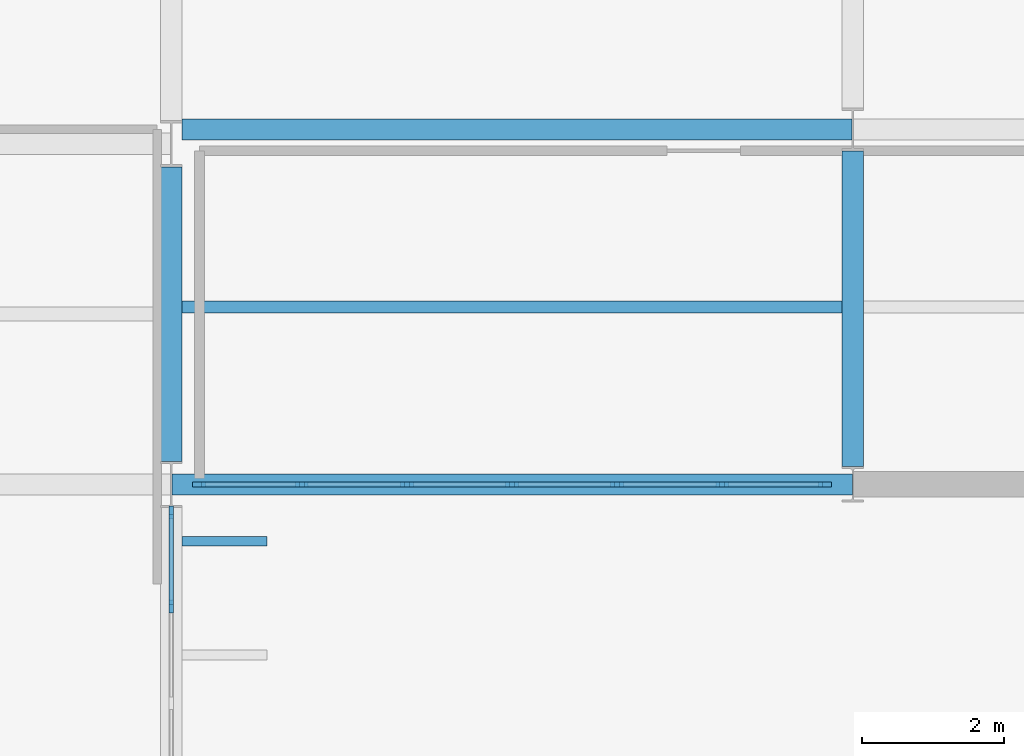
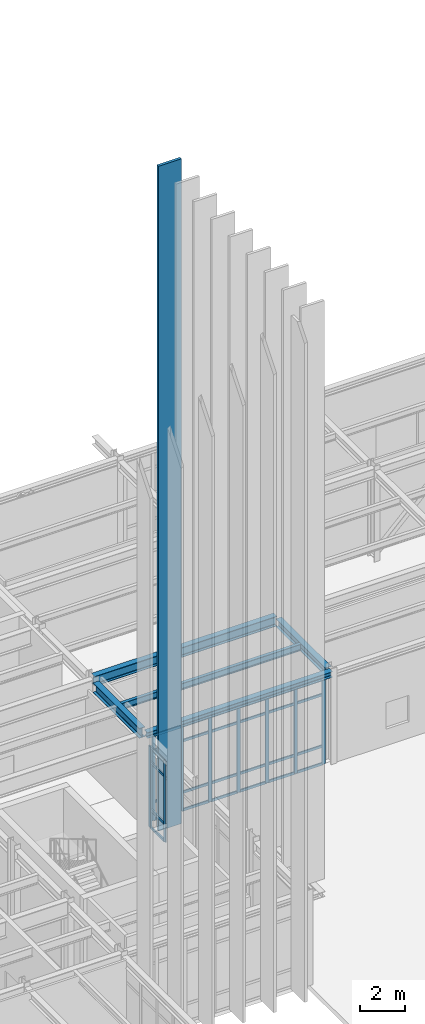
# One storey, part 54 of 109: 38 members, 5 beams, 2 elements without a shape of their own.
"""IFC4 building model written with IfcOpenShell, lengths in metres."""

from ifc_helpers import new_model, si_unit, direction, frame, origin, origin_2d, place, context, subcontext, project, spatial, rectangle, i_section, extrude, material, layer, layer_set, material_profile, profile_set, type_object, element, aggregate, save


model = new_model("IFC4")

# Units and contexts
model_context = context("Model", 3, precision=1e-05, world=origin(), true_north=direction((0.0, 1.0)))
body_context = subcontext(model_context, "Body", "Model", "MODEL_VIEW")
ifc_project = project(units=[si_unit("LENGTHUNIT", "METRE"), si_unit("AREAUNIT", "SQUARE_METRE"), si_unit("VOLUMEUNIT", "CUBIC_METRE"), si_unit("PLANEANGLEUNIT", "RADIAN"), si_unit("MASSUNIT", "GRAM", prefix="KILO")], contexts=[model_context])

# Site, building, storey
site_placement = place(None, origin())
site = spatial("IfcSite", under=ifc_project, at=site_placement, CompositionType="ELEMENT")
building_placement = place(site_placement, origin())
building = spatial("IfcBuilding", under=site, at=building_placement, Name="Nordkorset Police Headquarters", CompositionType="ELEMENT")
storey_placement = place(building_placement, origin())
storey = spatial("IfcBuildingStorey", under=building, at=storey_placement, Name="L00", CompositionType="ELEMENT", Elevation=0.0)

# Beam
ifc_material_1 = material(Name="Steel S355J2", Category="steel")
ifc_material_profile_1 = material_profile(ifc_material_1, i_section(OverallWidth=0.169921875, OverallDepth=0.360107421875, WebThickness=0.008056640625, FlangeThickness=0.0126953125, FilletRadius=0.01806640625, at=origin_2d()), Name="IPE 360")
ifc_profile_set_1 = profile_set([ifc_material_profile_1], Name="Steel S355J2")
beam_type_1 = type_object("IfcBeamType", Name="Beam_IPE_360", PredefinedType="BEAM", material=ifc_profile_set_1)
beam_1_placement = place(storey_placement, frame((28.949951171875, 100.10009765625, 4.820068359375), z_axis=(1.0, 0.0, 0.0), x_axis=(0.0, 1.0, 0.0)))
element("IfcBeam", 1, at=beam_1_placement, inside=storey, type_object=beam_type_1, Name="Composite Floor Beam V2 L00 0-0-1", PredefinedType="BEAM", context=body_context, shape_type="SweptSolid", body=[
    extrude(i_section(OverallWidth=0.169921875, OverallDepth=0.360107421875, WebThickness=0.008056640625, FlangeThickness=0.0126953125, FilletRadius=0.01806640625, at=origin_2d()), origin(), (0.0, 0.0, 1.0), 9.300048828125),
])

# Curtain wall, members
ifc_material_2 = material(Name="Aluminium alloy AW-6060", Category="aluminium")
ifc_layer_1 = layer(ifc_material_2, 0.179931640625, Name="Aluminium alloy AW-6060")
ifc_layer_set_1 = layer_set([ifc_layer_1], Name="Aluminium alloy AW-6060")
curtain_wall_type_1 = type_object("IfcCurtainWallType", Name="CW_Unit_408x444", PredefinedType="USERDEFINED", material=ifc_layer_set_1)
curtain_wall_1_placement = place(storey_placement, origin())
curtain_wall_1 = element("IfcCurtainWall", 2, at=curtain_wall_1_placement, inside=storey, type_object=curtain_wall_type_1, Name="Unitised Curtain Wall L00 V1E-2", ObjectType="UNITISED CURTAIN WALL", PredefinedType="USERDEFINED")
ifc_material_3 = material(Name="Aluminium alloy AW-6060", Category="aluminium")
ifc_material_profile_2 = material_profile(ifc_material_3, rectangle(XDim=0.06494140625, YDim=0.179931640625, at=origin_2d()), Name="ALU MULL 65x180")
ifc_profile_set_2 = profile_set([ifc_material_profile_2], Name="Aluminium alloy AW-6060")
member_type_1 = type_object("IfcMemberType", Name="CW_Mullion_65x180", PredefinedType="MULLION", material=ifc_profile_set_2)
member_1_placement = place(storey_placement, frame((28.800048828125, 95.8798828125, 0.0), z_axis=(0.0, 0.0, 1.0), x_axis=(-1.0, 0.0, 0.0)))
member_1 = element("IfcMember", 3, at=member_1_placement, type_object=member_type_1, Name="CW-66 mullion 3", PredefinedType="MULLION", context=body_context, shape_type="SweptSolid", body=[
    extrude(rectangle(XDim=0.06494140625, YDim=0.179931640625, at=origin_2d()), origin(), (0.0, 0.0, 1.0), 4.43994140625),
])
member_2_placement = place(storey_placement, frame((28.800048828125, 97.20751953125, 0.0), z_axis=(0.0, 0.0, 1.0), x_axis=(-1.0, 0.0, 0.0)))
member_2 = element("IfcMember", 4, at=member_2_placement, type_object=member_type_1, Name="CW-66 mullion 4", PredefinedType="MULLION", context=body_context, shape_type="SweptSolid", body=[
    extrude(rectangle(XDim=0.06494140625, YDim=0.179931640625, at=origin_2d()), origin(), (0.0, 0.0, 1.0), 4.43994140625),
])

ifc_material_4 = material(Name="Aluminium alloy AW-6060", Category="aluminium")
ifc_layer_2 = layer(ifc_material_4, 0.179931640625, Name="Aluminium alloy AW-6060")
ifc_layer_set_2 = layer_set([ifc_layer_2], Name="Aluminium alloy AW-6060")
curtain_wall_type_2 = type_object("IfcCurtainWallType", Name="CW_Unit_888x467", PredefinedType="USERDEFINED", material=ifc_layer_set_2)
curtain_wall_2_placement = place(storey_placement, origin())
curtain_wall_2 = element("IfcCurtainWall", 5, at=curtain_wall_2_placement, inside=storey, type_object=curtain_wall_type_2, Name="Unitised Curtain Wall L00 V2S-0", ObjectType="UNITISED CURTAIN WALL", PredefinedType="USERDEFINED")
member_3_placement = place(storey_placement, frame((29.1923828125, 97.60009765625, 0.0), z_axis=(0.0, 0.0, 1.0), x_axis=(0.0, 1.0, 0.0)))
member_3 = element("IfcMember", 6, at=member_3_placement, type_object=member_type_1, Name="CW-51 mullion 1", PredefinedType="MULLION", context=body_context, shape_type="SweptSolid", body=[
    extrude(rectangle(XDim=0.06494140625, YDim=0.179931640625, at=origin_2d()), origin(), (0.0, 0.0, 1.0), 4.669921875),
])
member_4_placement = place(storey_placement, frame((30.639892578125, 97.60009765625, 0.0), z_axis=(0.0, 0.0, 1.0), x_axis=(0.0, 1.0, 0.0)))
member_4 = element("IfcMember", 7, at=member_4_placement, type_object=member_type_1, Name="CW-51 mullion 2", PredefinedType="MULLION", context=body_context, shape_type="SweptSolid", body=[
    extrude(rectangle(XDim=0.06494140625, YDim=0.179931640625, at=origin_2d()), origin(), (0.0, 0.0, 1.0), 4.669921875),
])
member_5_placement = place(storey_placement, frame((32.1201171875, 97.60009765625, 0.0), z_axis=(0.0, 0.0, 1.0), x_axis=(0.0, 1.0, 0.0)))
member_5 = element("IfcMember", 8, at=member_5_placement, type_object=member_type_1, Name="CW-51 mullion 3", PredefinedType="MULLION", context=body_context, shape_type="SweptSolid", body=[
    extrude(rectangle(XDim=0.06494140625, YDim=0.179931640625, at=origin_2d()), origin(), (0.0, 0.0, 1.0), 4.669921875),
])
member_6_placement = place(storey_placement, frame((33.60009765625, 97.60009765625, 0.0), z_axis=(0.0, 0.0, 1.0), x_axis=(0.0, 1.0, 0.0)))
member_6 = element("IfcMember", 9, at=member_6_placement, type_object=member_type_1, Name="CW-51 mullion 4", PredefinedType="MULLION", context=body_context, shape_type="SweptSolid", body=[
    extrude(rectangle(XDim=0.06494140625, YDim=0.179931640625, at=origin_2d()), origin(), (0.0, 0.0, 1.0), 4.669921875),
])
member_7_placement = place(storey_placement, frame((35.080078125, 97.60009765625, 0.0), z_axis=(0.0, 0.0, 1.0), x_axis=(0.0, 1.0, 0.0)))
member_7 = element("IfcMember", 10, at=member_7_placement, type_object=member_type_1, Name="CW-51 mullion 5", PredefinedType="MULLION", context=body_context, shape_type="SweptSolid", body=[
    extrude(rectangle(XDim=0.06494140625, YDim=0.179931640625, at=origin_2d()), origin(), (0.0, 0.0, 1.0), 4.669921875),
])
member_8_placement = place(storey_placement, frame((36.56005859375, 97.60009765625, 0.0), z_axis=(0.0, 0.0, 1.0), x_axis=(0.0, 1.0, 0.0)))
member_8 = element("IfcMember", 11, at=member_8_placement, type_object=member_type_1, Name="CW-51 mullion 6", PredefinedType="MULLION", context=body_context, shape_type="SweptSolid", body=[
    extrude(rectangle(XDim=0.06494140625, YDim=0.179931640625, at=origin_2d()), origin(), (0.0, 0.0, 1.0), 4.669921875),
])
member_9_placement = place(storey_placement, frame((38.007568359375, 97.60009765625, 0.0), z_axis=(0.0, 0.0, 1.0), x_axis=(0.0, 1.0, 0.0)))
member_9 = element("IfcMember", 12, at=member_9_placement, type_object=member_type_1, Name="CW-51 mullion 7", PredefinedType="MULLION", context=body_context, shape_type="SweptSolid", body=[
    extrude(rectangle(XDim=0.06494140625, YDim=0.179931640625, at=origin_2d()), origin(), (0.0, 0.0, 1.0), 4.669921875),
])

# Member
ifc_material_5 = material(Name="Aluminium alloy AW-6060", Category="aluminium")
ifc_material_profile_3 = material_profile(ifc_material_5, rectangle(XDim=0.06494140625, YDim=0.139892578125, at=origin_2d()), Name="ALU TRAN 65x140")
ifc_profile_set_3 = profile_set([ifc_material_profile_3], Name="Aluminium alloy AW-6060")
member_type_2 = type_object("IfcMemberType", Name="CW_Transom_65x140", PredefinedType="USERDEFINED", material=ifc_profile_set_3)
member_10_placement = place(storey_placement, frame((28.800048828125, 95.91259765625, 0.032470703125), z_axis=(0.0, 1.0, 0.0), x_axis=(-1.0, 0.0, 0.0)))
member_10 = element("IfcMember", 13, at=member_10_placement, type_object=member_type_2, Name="CW-66 transom 3.1", ObjectType="TRANSOM", PredefinedType="USERDEFINED", context=body_context, shape_type="SweptSolid", body=[
    extrude(rectangle(XDim=0.06494140625, YDim=0.139892578125, at=origin_2d()), origin(), (0.0, 0.0, 1.0), 1.262451171875),
])

member_11_placement = place(storey_placement, frame((28.800048828125, 95.91259765625, 1.0), z_axis=(0.0, 1.0, 0.0), x_axis=(-1.0, 0.0, 0.0)))
member_11 = element("IfcMember", 14, at=member_11_placement, type_object=member_type_2, Name="CW-66 transom 3.2", ObjectType="TRANSOM", PredefinedType="USERDEFINED", context=body_context, shape_type="SweptSolid", body=[
    extrude(rectangle(XDim=0.06494140625, YDim=0.139892578125, at=origin_2d()), origin(), (0.0, 0.0, 1.0), 1.262451171875),
])

member_12_placement = place(storey_placement, frame((28.800048828125, 95.91259765625, 3.590087890625), z_axis=(0.0, 1.0, 0.0), x_axis=(-1.0, 0.0, 0.0)))
member_12 = element("IfcMember", 15, at=member_12_placement, type_object=member_type_2, Name="CW-66 transom 3.3", ObjectType="TRANSOM", PredefinedType="USERDEFINED", context=body_context, shape_type="SweptSolid", body=[
    extrude(rectangle(XDim=0.06494140625, YDim=0.139892578125, at=origin_2d()), origin(), (0.0, 0.0, 1.0), 1.262451171875),
])

member_13_placement = place(storey_placement, frame((28.800048828125, 95.91259765625, 4.407470703125), z_axis=(0.0, 1.0, 0.0), x_axis=(-1.0, 0.0, 0.0)))
member_13 = element("IfcMember", 16, at=member_13_placement, type_object=member_type_2, Name="CW-66 transom 3.4", ObjectType="TRANSOM", PredefinedType="USERDEFINED", context=body_context, shape_type="SweptSolid", body=[
    extrude(rectangle(XDim=0.06494140625, YDim=0.139892578125, at=origin_2d()), origin(), (0.0, 0.0, 1.0), 1.262451171875),
])

aggregate(curtain_wall_1, [member_1, member_2, member_10, member_11, member_12, member_13])

member_14_placement = place(storey_placement, frame((29.22509765625, 97.60009765625, 0.032470703125), z_axis=(1.0, 0.0, 0.0), x_axis=(0.0, 1.0, 0.0)))
member_14 = element("IfcMember", 17, at=member_14_placement, type_object=member_type_2, Name="CW-51 transom 1.1", ObjectType="TRANSOM", PredefinedType="USERDEFINED", context=body_context, shape_type="SweptSolid", body=[
    extrude(rectangle(XDim=0.06494140625, YDim=0.139892578125, at=origin_2d()), origin(), (0.0, 0.0, 1.0), 1.38232421875),
])

member_15_placement = place(storey_placement, frame((29.22509765625, 97.60009765625, 1.0), z_axis=(1.0, 0.0, 0.0), x_axis=(0.0, 1.0, 0.0)))
member_15 = element("IfcMember", 18, at=member_15_placement, type_object=member_type_2, Name="CW-51 transom 1.2", ObjectType="TRANSOM", PredefinedType="USERDEFINED", context=body_context, shape_type="SweptSolid", body=[
    extrude(rectangle(XDim=0.06494140625, YDim=0.139892578125, at=origin_2d()), origin(), (0.0, 0.0, 1.0), 1.38232421875),
])

member_16_placement = place(storey_placement, frame((29.22509765625, 97.60009765625, 3.820068359375), z_axis=(1.0, 0.0, 0.0), x_axis=(0.0, 1.0, 0.0)))
member_16 = element("IfcMember", 19, at=member_16_placement, type_object=member_type_2, Name="CW-51 transom 1.3", ObjectType="TRANSOM", PredefinedType="USERDEFINED", context=body_context, shape_type="SweptSolid", body=[
    extrude(rectangle(XDim=0.06494140625, YDim=0.139892578125, at=origin_2d()), origin(), (0.0, 0.0, 1.0), 1.38232421875),
])

member_17_placement = place(storey_placement, frame((29.22509765625, 97.60009765625, 4.637451171875), z_axis=(1.0, 0.0, 0.0), x_axis=(0.0, 1.0, 0.0)))
member_17 = element("IfcMember", 20, at=member_17_placement, type_object=member_type_2, Name="CW-51 transom 1.4", ObjectType="TRANSOM", PredefinedType="USERDEFINED", context=body_context, shape_type="SweptSolid", body=[
    extrude(rectangle(XDim=0.06494140625, YDim=0.139892578125, at=origin_2d()), origin(), (0.0, 0.0, 1.0), 1.38232421875),
])

member_18_placement = place(storey_placement, frame((30.672607421875, 97.60009765625, 0.032470703125), z_axis=(1.0, 0.0, 0.0), x_axis=(0.0, 1.0, 0.0)))
member_18 = element("IfcMember", 21, at=member_18_placement, type_object=member_type_2, Name="CW-51 transom 2.1", ObjectType="TRANSOM", PredefinedType="USERDEFINED", context=body_context, shape_type="SweptSolid", body=[
    extrude(rectangle(XDim=0.06494140625, YDim=0.139892578125, at=origin_2d()), origin(), (0.0, 0.0, 1.0), 1.414794921875),
])

member_19_placement = place(storey_placement, frame((30.672607421875, 97.60009765625, 1.0), z_axis=(1.0, 0.0, 0.0), x_axis=(0.0, 1.0, 0.0)))
member_19 = element("IfcMember", 22, at=member_19_placement, type_object=member_type_2, Name="CW-51 transom 2.2", ObjectType="TRANSOM", PredefinedType="USERDEFINED", context=body_context, shape_type="SweptSolid", body=[
    extrude(rectangle(XDim=0.06494140625, YDim=0.139892578125, at=origin_2d()), origin(), (0.0, 0.0, 1.0), 1.414794921875),
])

member_20_placement = place(storey_placement, frame((30.672607421875, 97.60009765625, 3.820068359375), z_axis=(1.0, 0.0, 0.0), x_axis=(0.0, 1.0, 0.0)))
member_20 = element("IfcMember", 23, at=member_20_placement, type_object=member_type_2, Name="CW-51 transom 2.3", ObjectType="TRANSOM", PredefinedType="USERDEFINED", context=body_context, shape_type="SweptSolid", body=[
    extrude(rectangle(XDim=0.06494140625, YDim=0.139892578125, at=origin_2d()), origin(), (0.0, 0.0, 1.0), 1.414794921875),
])

member_21_placement = place(storey_placement, frame((30.672607421875, 97.60009765625, 4.637451171875), z_axis=(1.0, 0.0, 0.0), x_axis=(0.0, 1.0, 0.0)))
member_21 = element("IfcMember", 24, at=member_21_placement, type_object=member_type_2, Name="CW-51 transom 2.4", ObjectType="TRANSOM", PredefinedType="USERDEFINED", context=body_context, shape_type="SweptSolid", body=[
    extrude(rectangle(XDim=0.06494140625, YDim=0.139892578125, at=origin_2d()), origin(), (0.0, 0.0, 1.0), 1.414794921875),
])

member_22_placement = place(storey_placement, frame((32.152587890625, 97.60009765625, 0.032470703125), z_axis=(1.0, 0.0, 0.0), x_axis=(0.0, 1.0, 0.0)))
member_22 = element("IfcMember", 25, at=member_22_placement, type_object=member_type_2, Name="CW-51 transom 3.1", ObjectType="TRANSOM", PredefinedType="USERDEFINED", context=body_context, shape_type="SweptSolid", body=[
    extrude(rectangle(XDim=0.06494140625, YDim=0.139892578125, at=origin_2d()), origin(), (0.0, 0.0, 1.0), 1.414794921875),
])

member_23_placement = place(storey_placement, frame((32.152587890625, 97.60009765625, 1.0), z_axis=(1.0, 0.0, 0.0), x_axis=(0.0, 1.0, 0.0)))
member_23 = element("IfcMember", 26, at=member_23_placement, type_object=member_type_2, Name="CW-51 transom 3.2", ObjectType="TRANSOM", PredefinedType="USERDEFINED", context=body_context, shape_type="SweptSolid", body=[
    extrude(rectangle(XDim=0.06494140625, YDim=0.139892578125, at=origin_2d()), origin(), (0.0, 0.0, 1.0), 1.414794921875),
])

member_24_placement = place(storey_placement, frame((32.152587890625, 97.60009765625, 3.820068359375), z_axis=(1.0, 0.0, 0.0), x_axis=(0.0, 1.0, 0.0)))
member_24 = element("IfcMember", 27, at=member_24_placement, type_object=member_type_2, Name="CW-51 transom 3.3", ObjectType="TRANSOM", PredefinedType="USERDEFINED", context=body_context, shape_type="SweptSolid", body=[
    extrude(rectangle(XDim=0.06494140625, YDim=0.139892578125, at=origin_2d()), origin(), (0.0, 0.0, 1.0), 1.414794921875),
])

member_25_placement = place(storey_placement, frame((32.152587890625, 97.60009765625, 4.637451171875), z_axis=(1.0, 0.0, 0.0), x_axis=(0.0, 1.0, 0.0)))
member_25 = element("IfcMember", 28, at=member_25_placement, type_object=member_type_2, Name="CW-51 transom 3.4", ObjectType="TRANSOM", PredefinedType="USERDEFINED", context=body_context, shape_type="SweptSolid", body=[
    extrude(rectangle(XDim=0.06494140625, YDim=0.139892578125, at=origin_2d()), origin(), (0.0, 0.0, 1.0), 1.414794921875),
])

member_26_placement = place(storey_placement, frame((33.632568359375, 97.60009765625, 0.032470703125), z_axis=(1.0, 0.0, 0.0), x_axis=(0.0, 1.0, 0.0)))
member_26 = element("IfcMember", 29, at=member_26_placement, type_object=member_type_2, Name="CW-51 transom 4.1", ObjectType="TRANSOM", PredefinedType="USERDEFINED", context=body_context, shape_type="SweptSolid", body=[
    extrude(rectangle(XDim=0.06494140625, YDim=0.139892578125, at=origin_2d()), origin(), (0.0, 0.0, 1.0), 1.4150390625),
])

member_27_placement = place(storey_placement, frame((33.632568359375, 97.60009765625, 1.0), z_axis=(1.0, 0.0, 0.0), x_axis=(0.0, 1.0, 0.0)))
member_27 = element("IfcMember", 30, at=member_27_placement, type_object=member_type_2, Name="CW-51 transom 4.2", ObjectType="TRANSOM", PredefinedType="USERDEFINED", context=body_context, shape_type="SweptSolid", body=[
    extrude(rectangle(XDim=0.06494140625, YDim=0.139892578125, at=origin_2d()), origin(), (0.0, 0.0, 1.0), 1.4150390625),
])

member_28_placement = place(storey_placement, frame((33.632568359375, 97.60009765625, 3.820068359375), z_axis=(1.0, 0.0, 0.0), x_axis=(0.0, 1.0, 0.0)))
member_28 = element("IfcMember", 31, at=member_28_placement, type_object=member_type_2, Name="CW-51 transom 4.3", ObjectType="TRANSOM", PredefinedType="USERDEFINED", context=body_context, shape_type="SweptSolid", body=[
    extrude(rectangle(XDim=0.06494140625, YDim=0.139892578125, at=origin_2d()), origin(), (0.0, 0.0, 1.0), 1.4150390625),
])

member_29_placement = place(storey_placement, frame((33.632568359375, 97.60009765625, 4.637451171875), z_axis=(1.0, 0.0, 0.0), x_axis=(0.0, 1.0, 0.0)))
member_29 = element("IfcMember", 32, at=member_29_placement, type_object=member_type_2, Name="CW-51 transom 4.4", ObjectType="TRANSOM", PredefinedType="USERDEFINED", context=body_context, shape_type="SweptSolid", body=[
    extrude(rectangle(XDim=0.06494140625, YDim=0.139892578125, at=origin_2d()), origin(), (0.0, 0.0, 1.0), 1.4150390625),
])

member_30_placement = place(storey_placement, frame((35.112548828125, 97.60009765625, 0.032470703125), z_axis=(1.0, 0.0, 0.0), x_axis=(0.0, 1.0, 0.0)))
member_30 = element("IfcMember", 33, at=member_30_placement, type_object=member_type_2, Name="CW-51 transom 5.1", ObjectType="TRANSOM", PredefinedType="USERDEFINED", context=body_context, shape_type="SweptSolid", body=[
    extrude(rectangle(XDim=0.06494140625, YDim=0.139892578125, at=origin_2d()), origin(), (0.0, 0.0, 1.0), 1.4150390625),
])

member_31_placement = place(storey_placement, frame((35.112548828125, 97.60009765625, 1.0), z_axis=(1.0, 0.0, 0.0), x_axis=(0.0, 1.0, 0.0)))
member_31 = element("IfcMember", 34, at=member_31_placement, type_object=member_type_2, Name="CW-51 transom 5.2", ObjectType="TRANSOM", PredefinedType="USERDEFINED", context=body_context, shape_type="SweptSolid", body=[
    extrude(rectangle(XDim=0.06494140625, YDim=0.139892578125, at=origin_2d()), origin(), (0.0, 0.0, 1.0), 1.4150390625),
])

member_32_placement = place(storey_placement, frame((35.112548828125, 97.60009765625, 3.820068359375), z_axis=(1.0, 0.0, 0.0), x_axis=(0.0, 1.0, 0.0)))
member_32 = element("IfcMember", 35, at=member_32_placement, type_object=member_type_2, Name="CW-51 transom 5.3", ObjectType="TRANSOM", PredefinedType="USERDEFINED", context=body_context, shape_type="SweptSolid", body=[
    extrude(rectangle(XDim=0.06494140625, YDim=0.139892578125, at=origin_2d()), origin(), (0.0, 0.0, 1.0), 1.4150390625),
])

member_33_placement = place(storey_placement, frame((35.112548828125, 97.60009765625, 4.637451171875), z_axis=(1.0, 0.0, 0.0), x_axis=(0.0, 1.0, 0.0)))
member_33 = element("IfcMember", 36, at=member_33_placement, type_object=member_type_2, Name="CW-51 transom 5.4", ObjectType="TRANSOM", PredefinedType="USERDEFINED", context=body_context, shape_type="SweptSolid", body=[
    extrude(rectangle(XDim=0.06494140625, YDim=0.139892578125, at=origin_2d()), origin(), (0.0, 0.0, 1.0), 1.4150390625),
])

member_34_placement = place(storey_placement, frame((36.592529296875, 97.60009765625, 0.032470703125), z_axis=(1.0, 0.0, 0.0), x_axis=(0.0, 1.0, 0.0)))
member_34 = element("IfcMember", 37, at=member_34_placement, type_object=member_type_2, Name="CW-51 transom 6.1", ObjectType="TRANSOM", PredefinedType="USERDEFINED", context=body_context, shape_type="SweptSolid", body=[
    extrude(rectangle(XDim=0.06494140625, YDim=0.139892578125, at=origin_2d()), origin(), (0.0, 0.0, 1.0), 1.382568359375),
])

member_35_placement = place(storey_placement, frame((36.592529296875, 97.60009765625, 1.0), z_axis=(1.0, 0.0, 0.0), x_axis=(0.0, 1.0, 0.0)))
member_35 = element("IfcMember", 38, at=member_35_placement, type_object=member_type_2, Name="CW-51 transom 6.2", ObjectType="TRANSOM", PredefinedType="USERDEFINED", context=body_context, shape_type="SweptSolid", body=[
    extrude(rectangle(XDim=0.06494140625, YDim=0.139892578125, at=origin_2d()), origin(), (0.0, 0.0, 1.0), 1.382568359375),
])

member_36_placement = place(storey_placement, frame((36.592529296875, 97.60009765625, 3.820068359375), z_axis=(1.0, 0.0, 0.0), x_axis=(0.0, 1.0, 0.0)))
member_36 = element("IfcMember", 39, at=member_36_placement, type_object=member_type_2, Name="CW-51 transom 6.3", ObjectType="TRANSOM", PredefinedType="USERDEFINED", context=body_context, shape_type="SweptSolid", body=[
    extrude(rectangle(XDim=0.06494140625, YDim=0.139892578125, at=origin_2d()), origin(), (0.0, 0.0, 1.0), 1.382568359375),
])

member_37_placement = place(storey_placement, frame((36.592529296875, 97.60009765625, 4.637451171875), z_axis=(1.0, 0.0, 0.0), x_axis=(0.0, 1.0, 0.0)))
member_37 = element("IfcMember", 40, at=member_37_placement, type_object=member_type_2, Name="CW-51 transom 6.4", ObjectType="TRANSOM", PredefinedType="USERDEFINED", context=body_context, shape_type="SweptSolid", body=[
    extrude(rectangle(XDim=0.06494140625, YDim=0.139892578125, at=origin_2d()), origin(), (0.0, 0.0, 1.0), 1.382568359375),
])

aggregate(curtain_wall_2, [member_3, member_4, member_5, member_6, member_7, member_8, member_9, member_14, member_15, member_16, member_17, member_18, member_19, member_20, member_21, member_22, member_23, member_24, member_25, member_26, member_27, member_28, member_29, member_30, member_31, member_32, member_33, member_34, member_35, member_36, member_37])

# Beams
ifc_material_6 = material(Name="Steel S355J2", Category="steel")
ifc_material_profile_4 = material_profile(ifc_material_6, i_section(OverallWidth=0.300048828125, OverallDepth=0.43994140625, WebThickness=0.011474609375, FlangeThickness=0.02099609375, FilletRadius=0.027099609375, at=origin_2d()), Name="HEA 450")
ifc_profile_set_4 = profile_set([ifc_material_profile_4], Name="Steel S355J2")
beam_type_2 = type_object("IfcBeamType", Name="Girder_HEA_450", PredefinedType="USERDEFINED", material=ifc_profile_set_4)
beam_2_placement = place(storey_placement, frame((38.39990234375, 97.85009765625, 4.780029296875), z_axis=(0.0, 1.0, 0.0), x_axis=(-1.0, 0.0, 0.0)))
element("IfcBeam", 41, at=beam_2_placement, inside=storey, type_object=beam_type_2, Name="Girder V2 L00 GY-1-0", ObjectType="GIRDER", PredefinedType="USERDEFINED", context=body_context, shape_type="SweptSolid", body=[
    extrude(i_section(OverallWidth=0.300048828125, OverallDepth=0.43994140625, WebThickness=0.011474609375, FlangeThickness=0.02099609375, FilletRadius=0.027099609375, at=origin_2d()), origin(), (0.0, 0.0, 1.0), 4.449951171875),
])
ifc_material_7 = material(Name="Steel S355J2", Category="steel")
ifc_material_profile_5 = material_profile(ifc_material_7, i_section(OverallWidth=0.300048828125, OverallDepth=0.5400390625, WebThickness=0.012451171875, FlangeThickness=0.02392578125, FilletRadius=0.027099609375, at=origin_2d()), Name="HEA 550")
ifc_profile_set_5 = profile_set([ifc_material_profile_5], Name="Steel S355J2")
beam_type_3 = type_object("IfcBeamType", Name="Girder_HEA_550", PredefinedType="USERDEFINED", material=ifc_profile_set_5)
beam_3_placement = place(storey_placement, frame((28.800048828125, 97.925048828125, 4.72998046875), z_axis=(0.0, 1.0, 0.0), x_axis=(-1.0, 0.0, 0.0)))
element("IfcBeam", 42, at=beam_3_placement, inside=storey, type_object=beam_type_3, Name="Girder V1 L00 GY-2-3", ObjectType="GIRDER", PredefinedType="USERDEFINED", context=body_context, shape_type="SweptSolid", body=[
    extrude(i_section(OverallWidth=0.300048828125, OverallDepth=0.5400390625, WebThickness=0.012451171875, FlangeThickness=0.02392578125, FilletRadius=0.027099609375, at=origin_2d()), origin(), (0.0, 0.0, 1.0), 4.14990234375),
])
beam_4_placement = place(storey_placement, frame((28.949951171875, 102.60009765625, 4.72998046875), z_axis=(1.0, 0.0, 0.0), x_axis=(0.0, 1.0, 0.0)))
element("IfcBeam", 43, at=beam_4_placement, inside=storey, type_object=beam_type_3, Name="Girder V2 L00 GX-1-0", ObjectType="GIRDER", PredefinedType="USERDEFINED", context=body_context, shape_type="SweptSolid", body=[
    extrude(i_section(OverallWidth=0.300048828125, OverallDepth=0.5400390625, WebThickness=0.012451171875, FlangeThickness=0.02392578125, FilletRadius=0.027099609375, at=origin_2d()), origin(), (0.0, 0.0, 1.0), 9.4423828125),
])

# Member
ifc_material_8 = material(Name="Glulam GL30c", Category="wood")
ifc_material_profile_6 = material_profile(ifc_material_8, rectangle(XDim=0.139892578125, YDim=1.199951171875, at=origin_2d()), Name="GL30C FIN 140x1200")
ifc_profile_set_6 = profile_set([ifc_material_profile_6], Name="Glulam GL30c")
member_type_3 = type_object("IfcMemberType", Name="Member_GlulamFin_140x1200", PredefinedType="USERDEFINED", material=ifc_profile_set_6)
member_38_placement = place(storey_placement, frame((29.550048828125, 96.800048828125, 0.0), z_axis=(0.0, 0.0, 1.0), x_axis=(0.0, 1.0, 0.0)))
element("IfcMember", 44, at=member_38_placement, inside=storey, type_object=member_type_3, Name="Vertical Glulam Timber Fin East 030", ObjectType="VERTICAL TIMBER FIN", PredefinedType="USERDEFINED", context=body_context, shape_type="SweptSolid", body=[
    extrude(rectangle(XDim=0.139892578125, YDim=1.199951171875, at=origin_2d()), origin(), (0.0, 0.0, 1.0), 36.409912109375),
])

# Beam
ifc_material_9 = material(Name="Steel S355J2", Category="steel")
ifc_material_profile_7 = material_profile(ifc_material_9, i_section(OverallWidth=0.300048828125, OverallDepth=0.31005859375, WebThickness=0.009033203125, FlangeThickness=0.015380859375, FilletRadius=0.027099609375, at=origin_2d()), Name="HEA 320")
ifc_profile_set_7 = profile_set([ifc_material_profile_7], Name="Steel S355J2")
beam_type_4 = type_object("IfcBeamType", Name="Spandrel_HEA_320", PredefinedType="SPANDREL", material=ifc_profile_set_7)
beam_5_placement = place(storey_placement, frame((28.80810546875, 97.60009765625, 4.844970703125), z_axis=(1.0, 0.0, 0.0), x_axis=(0.0, 1.0, 0.0)))
element("IfcBeam", 45, at=beam_5_placement, inside=storey, type_object=beam_type_4, Name="Girder V2 L00 GX-0-0", PredefinedType="SPANDREL", context=body_context, shape_type="SweptSolid", body=[
    extrude(i_section(OverallWidth=0.300048828125, OverallDepth=0.31005859375, WebThickness=0.009033203125, FlangeThickness=0.015380859375, FilletRadius=0.027099609375, at=origin_2d()), origin(), (0.0, 0.0, 1.0), 9.58447265625),
])

save(model, "model.ifc")
